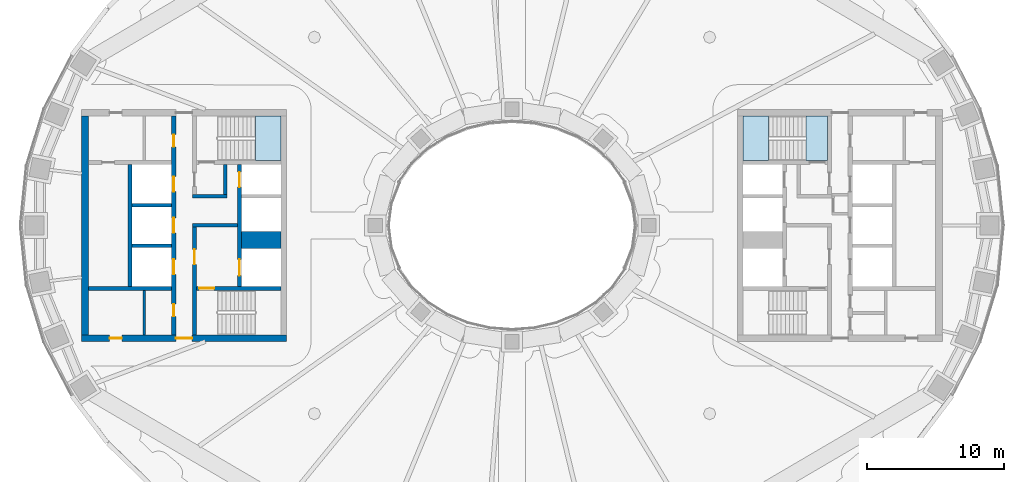
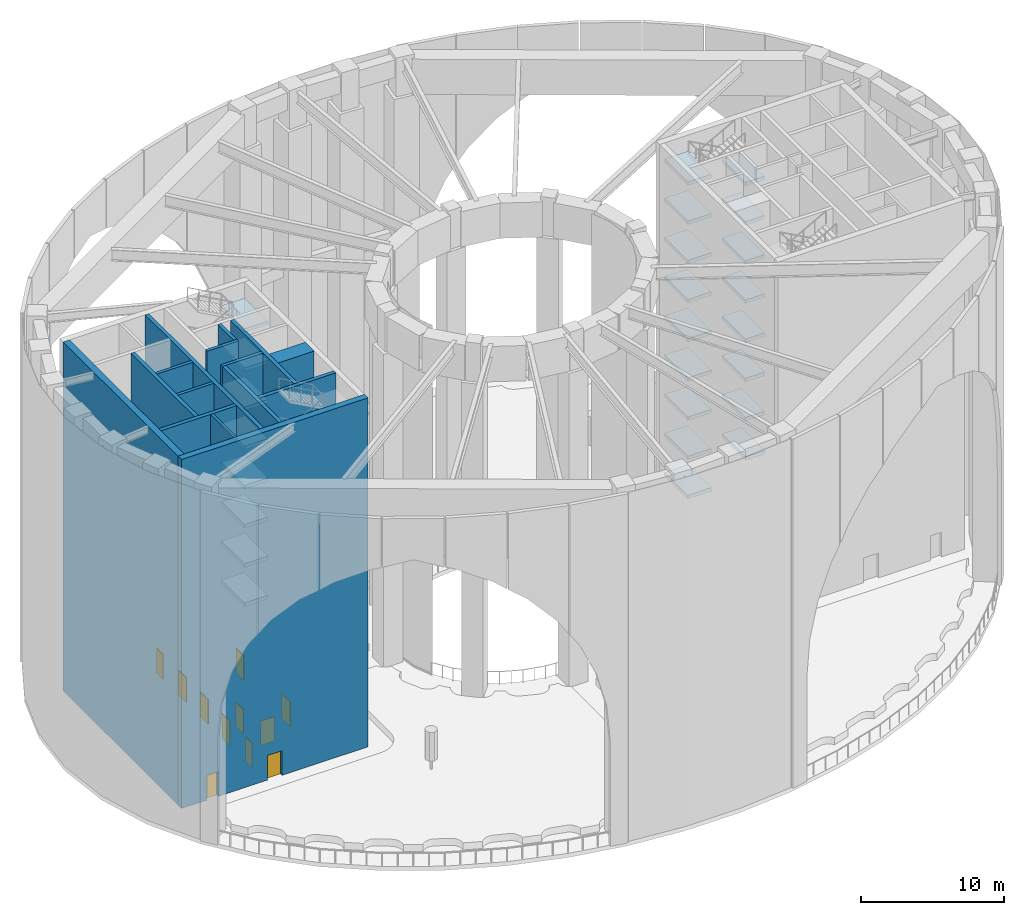
# One storey, part 3 of 26: 25 slabs, 15 walls, 11 doors, 11 openings, 2 elements without a shape of their own.
"""IFC4 building model written with IfcOpenShell, lengths in metres."""

from ifc_helpers import new_model, si_unit, direction, frame, frame_2d, origin, place, context, subcontext, project, spatial, polyline, rectangle, outline, extrude, material, layer, layer_set, type_object, element, fill, aggregate, save


model = new_model("IFC4")

# Units and contexts
model_context = context("Model", 3, precision=1e-05, world=origin(), true_north=direction((0.0, 1.0)))
body_context = subcontext(model_context, "Body", "Model", "MODEL_VIEW")
ifc_project = project(units=[si_unit("LENGTHUNIT", "METRE"), si_unit("AREAUNIT", "SQUARE_METRE"), si_unit("VOLUMEUNIT", "CUBIC_METRE"), si_unit("PLANEANGLEUNIT", "RADIAN"), si_unit("MASSUNIT", "GRAM", prefix="KILO")], contexts=[model_context])

# Site, building, storey
site_placement = place(None, origin())
site = spatial("IfcSite", under=ifc_project, at=site_placement, CompositionType="ELEMENT")
building_placement = place(site_placement, origin())
building = spatial("IfcBuilding", under=site, at=building_placement, Name="Noorbagh Ring Tower", CompositionType="ELEMENT")
storey_placement = place(building_placement, frame((0.0, 0.0, 203.5)))
storey = spatial("IfcBuildingStorey", under=building, at=storey_placement, Name="L47", CompositionType="ELEMENT", Elevation=203.5)

# Stair, slabs
ifc_material_1 = material(Name="Concrete C40/50", Category="concrete")
stair_type = type_object("IfcStairType", Name="CORE-STAIR", PredefinedType="HALF_TURN_STAIR", material=ifc_material_1)
stair_1_placement = place(storey_placement, origin())
stair_1 = element("IfcStair", 1, at=stair_1_placement, inside=storey, type_object=stair_type, Name="L47 Exit stair ST1", PredefinedType="HALF_TURN_STAIR")
ifc_material_2 = material(Name="Concrete C40/50", Category="concrete")
ifc_layer_1 = layer(ifc_material_2, 0.300048828125)
ifc_layer_set_1 = layer_set([ifc_layer_1], Name="Concrete C40/50")
slab_type = type_object("IfcSlabType", Name="CORE-STAIR-LANDING", PredefinedType="LANDING", material=ifc_layer_set_1)
slab_1_placement = place(storey_placement, frame((0.0, 0.0, 4.699951171875)))
slab_1 = element("IfcSlab", 2, at=slab_1_placement, type_object=slab_type, Name="ST1 landing 3", PredefinedType="LANDING", context=body_context, shape_type="SweptSolid", body=[
    extrude(outline(polyline([(-18.784912109375, 4.75), (-16.89990234375, 4.75), (-16.89990234375, 8.0), (-18.784912109375, 8.0), (-18.784912109375, 4.75)])), origin(), (0.0, 0.0, 1.0), 0.300048828125),
])
slab_2_placement = place(storey_placement, frame((0.0, 0.0, 8.033447265625)))
slab_2 = element("IfcSlab", 3, at=slab_2_placement, type_object=slab_type, Name="ST1 landing 5", PredefinedType="LANDING", context=body_context, shape_type="SweptSolid", body=[
    extrude(outline(polyline([(-18.784912109375, 4.75), (-16.89990234375, 4.75), (-16.89990234375, 8.0), (-18.784912109375, 8.0), (-18.784912109375, 4.75)])), origin(), (0.0, 0.0, 1.0), 0.2998046875),
])
slab_3_placement = place(storey_placement, frame((0.0, 0.0, 11.36669921875)))
slab_3 = element("IfcSlab", 4, at=slab_3_placement, type_object=slab_type, Name="ST1 landing 6", PredefinedType="LANDING", context=body_context, shape_type="SweptSolid", body=[
    extrude(outline(polyline([(-18.784912109375, 4.75), (-16.89990234375, 4.75), (-16.89990234375, 8.0), (-18.784912109375, 8.0), (-18.784912109375, 4.75)])), origin(), (0.0, 0.0, 1.0), 0.300048828125),
])
slab_4_placement = place(storey_placement, frame((0.0, 0.0, 14.699951171875)))
slab_4 = element("IfcSlab", 5, at=slab_4_placement, type_object=slab_type, Name="ST1 landing 8", PredefinedType="LANDING", context=body_context, shape_type="SweptSolid", body=[
    extrude(outline(polyline([(-18.784912109375, 4.75), (-16.89990234375, 4.75), (-16.89990234375, 8.0), (-18.784912109375, 8.0), (-18.784912109375, 4.75)])), origin(), (0.0, 0.0, 1.0), 0.300048828125),
])
slab_5_placement = place(storey_placement, frame((0.0, 0.0, 18.033447265625)))
slab_5 = element("IfcSlab", 6, at=slab_5_placement, type_object=slab_type, Name="ST1 landing 10", PredefinedType="LANDING", context=body_context, shape_type="SweptSolid", body=[
    extrude(outline(polyline([(-18.784912109375, 4.75), (-16.89990234375, 4.75), (-16.89990234375, 8.0), (-18.784912109375, 8.0), (-18.784912109375, 4.75)])), origin(), (0.0, 0.0, 1.0), 0.2998046875),
])
slab_6_placement = place(storey_placement, frame((0.0, 0.0, 21.36669921875)))
slab_6 = element("IfcSlab", 7, at=slab_6_placement, type_object=slab_type, Name="ST1 landing 12", PredefinedType="LANDING", context=body_context, shape_type="SweptSolid", body=[
    extrude(outline(polyline([(-18.784912109375, 4.75), (-16.89990234375, 4.75), (-16.89990234375, 8.0), (-18.784912109375, 8.0), (-18.784912109375, 4.75)])), origin(), (0.0, 0.0, 1.0), 0.300048828125),
])
slab_7_placement = place(storey_placement, frame((0.0, 0.0, 24.699951171875)))
slab_7 = element("IfcSlab", 8, at=slab_7_placement, type_object=slab_type, Name="ST1 landing 14", PredefinedType="LANDING", context=body_context, shape_type="SweptSolid", body=[
    extrude(outline(polyline([(-18.784912109375, 4.75), (-16.89990234375, 4.75), (-16.89990234375, 8.0), (-18.784912109375, 8.0), (-18.784912109375, 4.75)])), origin(), (0.0, 0.0, 1.0), 0.300048828125),
])
slab_8_placement = place(storey_placement, frame((0.0, 0.0, 28.033447265625)))
slab_8 = element("IfcSlab", 9, at=slab_8_placement, type_object=slab_type, Name="ST1 landing 16", PredefinedType="LANDING", context=body_context, shape_type="SweptSolid", body=[
    extrude(outline(polyline([(-18.784912109375, 4.75), (-16.89990234375, 4.75), (-16.89990234375, 8.0), (-18.784912109375, 8.0), (-18.784912109375, 4.75)])), origin(), (0.0, 0.0, 1.0), 0.2998046875),
])
aggregate(stair_1, [slab_1, slab_2, slab_3, slab_4, slab_5, slab_6, slab_7, slab_8])

stair_2_placement = place(storey_placement, origin())
stair_2 = element("IfcStair", 10, at=stair_2_placement, inside=storey, type_object=stair_type, Name="L47 Exit stair ST3", PredefinedType="HALF_TURN_STAIR")
slab_9_placement = place(storey_placement, frame((0.0, 0.0, 1.36669921875)))
slab_9 = element("IfcSlab", 11, at=slab_9_placement, type_object=slab_type, Name="ST3 landing 1", PredefinedType="LANDING", context=body_context, shape_type="SweptSolid", body=[
    extrude(outline(polyline([(18.784912109375, 8.0), (16.89990234375, 8.0), (16.89990234375, 4.75), (18.784912109375, 4.75), (18.784912109375, 8.0)])), origin(), (0.0, 0.0, 1.0), 0.300048828125),
])
slab_10_placement = place(storey_placement, frame((0.0, 0.0, 3.033447265625)))
slab_10 = element("IfcSlab", 12, at=slab_10_placement, type_object=slab_type, Name="ST3 landing 2", PredefinedType="LANDING", context=body_context, shape_type="SweptSolid", body=[
    extrude(outline(polyline([(23.080078125, 8.0), (21.530029296875, 8.0), (21.530029296875, 4.75), (23.080078125, 4.75), (23.080078125, 8.0)])), origin(), (0.0, 0.0, 1.0), 0.2998046875),
])
slab_11_placement = place(storey_placement, frame((0.0, 0.0, 4.699951171875)))
slab_11 = element("IfcSlab", 13, at=slab_11_placement, type_object=slab_type, Name="ST3 landing 3", PredefinedType="LANDING", context=body_context, shape_type="SweptSolid", body=[
    extrude(outline(polyline([(18.784912109375, 8.0), (16.89990234375, 8.0), (16.89990234375, 4.75), (18.784912109375, 4.75), (18.784912109375, 8.0)])), origin(), (0.0, 0.0, 1.0), 0.300048828125),
])
slab_12_placement = place(storey_placement, frame((0.0, 0.0, 6.36669921875)))
slab_12 = element("IfcSlab", 14, at=slab_12_placement, type_object=slab_type, Name="ST3 landing 4", PredefinedType="LANDING", context=body_context, shape_type="SweptSolid", body=[
    extrude(outline(polyline([(23.080078125, 8.0), (21.530029296875, 8.0), (21.530029296875, 4.75), (23.080078125, 4.75), (23.080078125, 8.0)])), origin(), (0.0, 0.0, 1.0), 0.300048828125),
])
slab_13_placement = place(storey_placement, frame((0.0, 0.0, 8.033447265625)))
slab_13 = element("IfcSlab", 15, at=slab_13_placement, type_object=slab_type, Name="ST3 landing 5", PredefinedType="LANDING", context=body_context, shape_type="SweptSolid", body=[
    extrude(outline(polyline([(18.784912109375, 8.0), (16.89990234375, 8.0), (16.89990234375, 4.75), (18.784912109375, 4.75), (18.784912109375, 8.0)])), origin(), (0.0, 0.0, 1.0), 0.2998046875),
])
slab_14_placement = place(storey_placement, frame((0.0, 0.0, 11.36669921875)))
slab_14 = element("IfcSlab", 16, at=slab_14_placement, type_object=slab_type, Name="ST3 landing 6", PredefinedType="LANDING", context=body_context, shape_type="SweptSolid", body=[
    extrude(outline(polyline([(18.784912109375, 8.0), (16.89990234375, 8.0), (16.89990234375, 4.75), (18.784912109375, 4.75), (18.784912109375, 8.0)])), origin(), (0.0, 0.0, 1.0), 0.300048828125),
])
slab_15_placement = place(storey_placement, frame((0.0, 0.0, 13.033447265625)))
slab_15 = element("IfcSlab", 17, at=slab_15_placement, type_object=slab_type, Name="ST3 landing 7", PredefinedType="LANDING", context=body_context, shape_type="SweptSolid", body=[
    extrude(outline(polyline([(23.080078125, 8.0), (21.530029296875, 8.0), (21.530029296875, 4.75), (23.080078125, 4.75), (23.080078125, 8.0)])), origin(), (0.0, 0.0, 1.0), 0.2998046875),
])
slab_16_placement = place(storey_placement, frame((0.0, 0.0, 14.699951171875)))
slab_16 = element("IfcSlab", 18, at=slab_16_placement, type_object=slab_type, Name="ST3 landing 8", PredefinedType="LANDING", context=body_context, shape_type="SweptSolid", body=[
    extrude(outline(polyline([(18.784912109375, 8.0), (16.89990234375, 8.0), (16.89990234375, 4.75), (18.784912109375, 4.75), (18.784912109375, 8.0)])), origin(), (0.0, 0.0, 1.0), 0.300048828125),
])
slab_17_placement = place(storey_placement, frame((0.0, 0.0, 16.36669921875)))
slab_17 = element("IfcSlab", 19, at=slab_17_placement, type_object=slab_type, Name="ST3 landing 9", PredefinedType="LANDING", context=body_context, shape_type="SweptSolid", body=[
    extrude(outline(polyline([(23.080078125, 8.0), (21.530029296875, 8.0), (21.530029296875, 4.75), (23.080078125, 4.75), (23.080078125, 8.0)])), origin(), (0.0, 0.0, 1.0), 0.300048828125),
])
slab_18_placement = place(storey_placement, frame((0.0, 0.0, 18.033447265625)))
slab_18 = element("IfcSlab", 20, at=slab_18_placement, type_object=slab_type, Name="ST3 landing 10", PredefinedType="LANDING", context=body_context, shape_type="SweptSolid", body=[
    extrude(outline(polyline([(18.784912109375, 8.0), (16.89990234375, 8.0), (16.89990234375, 4.75), (18.784912109375, 4.75), (18.784912109375, 8.0)])), origin(), (0.0, 0.0, 1.0), 0.2998046875),
])
slab_19_placement = place(storey_placement, frame((0.0, 0.0, 9.699951171875)))
slab_19 = element("IfcSlab", 21, at=slab_19_placement, type_object=slab_type, Name="ST3 landing 11", PredefinedType="LANDING", context=body_context, shape_type="SweptSolid", body=[
    extrude(outline(polyline([(23.080078125, 8.0), (21.530029296875, 8.0), (21.530029296875, 4.75), (23.080078125, 4.75), (23.080078125, 8.0)])), origin(), (0.0, 0.0, 1.0), 0.300048828125),
])
slab_20_placement = place(storey_placement, frame((0.0, 0.0, 21.36669921875)))
slab_20 = element("IfcSlab", 22, at=slab_20_placement, type_object=slab_type, Name="ST3 landing 12", PredefinedType="LANDING", context=body_context, shape_type="SweptSolid", body=[
    extrude(outline(polyline([(18.784912109375, 8.0), (16.89990234375, 8.0), (16.89990234375, 4.75), (18.784912109375, 4.75), (18.784912109375, 8.0)])), origin(), (0.0, 0.0, 1.0), 0.300048828125),
])
slab_21_placement = place(storey_placement, frame((0.0, 0.0, 23.033447265625)))
slab_21 = element("IfcSlab", 23, at=slab_21_placement, type_object=slab_type, Name="ST3 landing 13", PredefinedType="LANDING", context=body_context, shape_type="SweptSolid", body=[
    extrude(outline(polyline([(23.080078125, 8.0), (21.530029296875, 8.0), (21.530029296875, 4.75), (23.080078125, 4.75), (23.080078125, 8.0)])), origin(), (0.0, 0.0, 1.0), 0.2998046875),
])
slab_22_placement = place(storey_placement, frame((0.0, 0.0, 24.699951171875)))
slab_22 = element("IfcSlab", 24, at=slab_22_placement, type_object=slab_type, Name="ST3 landing 14", PredefinedType="LANDING", context=body_context, shape_type="SweptSolid", body=[
    extrude(outline(polyline([(18.784912109375, 8.0), (16.89990234375, 8.0), (16.89990234375, 4.75), (18.784912109375, 4.75), (18.784912109375, 8.0)])), origin(), (0.0, 0.0, 1.0), 0.300048828125),
])
slab_23_placement = place(storey_placement, frame((0.0, 0.0, 26.36669921875)))
slab_23 = element("IfcSlab", 25, at=slab_23_placement, type_object=slab_type, Name="ST3 landing 15", PredefinedType="LANDING", context=body_context, shape_type="SweptSolid", body=[
    extrude(outline(polyline([(23.080078125, 8.0), (21.530029296875, 8.0), (21.530029296875, 4.75), (23.080078125, 4.75), (23.080078125, 8.0)])), origin(), (0.0, 0.0, 1.0), 0.300048828125),
])
slab_24_placement = place(storey_placement, frame((0.0, 0.0, 28.033447265625)))
slab_24 = element("IfcSlab", 26, at=slab_24_placement, type_object=slab_type, Name="ST3 landing 16", PredefinedType="LANDING", context=body_context, shape_type="SweptSolid", body=[
    extrude(outline(polyline([(18.784912109375, 8.0), (16.89990234375, 8.0), (16.89990234375, 4.75), (18.784912109375, 4.75), (18.784912109375, 8.0)])), origin(), (0.0, 0.0, 1.0), 0.2998046875),
])
slab_25_placement = place(storey_placement, frame((0.0, 0.0, 19.699951171875)))
slab_25 = element("IfcSlab", 27, at=slab_25_placement, type_object=slab_type, Name="ST3 landing 17", PredefinedType="LANDING", context=body_context, shape_type="SweptSolid", body=[
    extrude(outline(polyline([(23.080078125, 8.0), (21.530029296875, 8.0), (21.530029296875, 4.75), (23.080078125, 4.75), (23.080078125, 8.0)])), origin(), (0.0, 0.0, 1.0), 0.300048828125),
])
aggregate(stair_2, [slab_9, slab_10, slab_11, slab_12, slab_13, slab_14, slab_15, slab_16, slab_17, slab_18, slab_19, slab_20, slab_21, slab_22, slab_23, slab_24, slab_25])

# Walls
ifc_material_3 = material(Name="Gypsum board on steel studs", Category="steel")
ifc_layer_2 = layer(ifc_material_3, 0.199951171875)
ifc_layer_set_2 = layer_set([ifc_layer_2], Name="Gypsum board on steel studs")
wall_type_1 = type_object("IfcWallType", Name="CORE-PARTITION-200", PredefinedType="PARTITIONING", material=ifc_layer_set_2)
wall_1_placement = place(storey_placement, frame((-26.89990234375, -8.0, 0.0), z_axis=(0.0, 0.0, 1.0), x_axis=(0.0, 1.0, 0.0)))
element("IfcWall", 28, at=wall_1_placement, inside=storey, type_object=wall_type_1, Name="Core partition W", PredefinedType="PARTITIONING", context=body_context, shape_type="SweptSolid", body=[
    extrude(rectangle(XDim=3.25, YDim=0.199951171875, at=frame_2d((1.625, 0.0))), origin(), (0.0, 0.0, 1.0), 29.699951171875),
])
ifc_material_4 = material(Name="Concrete C60/75", Category="concrete")
ifc_layer_3 = layer(ifc_material_4, 1.25)
ifc_layer_set_3 = layer_set([ifc_layer_3], Name="Concrete C60/75")
wall_type_2 = type_object("IfcWallType", Name="CORE-WALL-1250-C60-75-EI120", PredefinedType="SHEAR", material=ifc_layer_set_3)
wall_2_placement = place(storey_placement, frame((-16.89990234375, -1.074951171875, 0.0), z_axis=(0.0, 0.0, 1.0), x_axis=(-1.0, 0.0, 0.0)))
element("IfcWall", 29, at=wall_2_placement, inside=storey, type_object=wall_type_2, Name="Core wall W", PredefinedType="SHEAR", context=body_context, shape_type="SweptSolid", body=[
    extrude(rectangle(XDim=2.900146484375, YDim=1.25, at=frame_2d((1.4501953125, 0.0))), origin(), (0.0, 0.0, 1.0), 29.699951171875),
])
ifc_material_5 = material(Name="Concrete C60/75", Category="concrete")
ifc_layer_4 = layer(ifc_material_5, 0.25)
ifc_layer_set_4 = layer_set([ifc_layer_4], Name="Concrete C60/75")
wall_type_3 = type_object("IfcWallType", Name="CORE-WALL-250-C60-75-EI120", PredefinedType="SHEAR", material=ifc_layer_set_4)
for number, where, z_axis, x_axis, name in (
    (30, (-24.89990234375, -1.47509765625, 0.0), (0.0, 0.0, 1.0), (-1.0, 0.0, 0.0), "Core wall W"),
    (31, (-24.89990234375, 1.47509765625, 0.0), (0.0, 0.0, 1.0), (-1.0, 0.0, 0.0), "Core wall W"),
):
    element("IfcWall", number, at=place(storey_placement, frame(where, z_axis=z_axis, x_axis=x_axis)), inside=storey, type_object=wall_type_3, Name=name, PredefinedType="SHEAR", context=body_context, shape_type="SweptSolid", body=[
        extrude(rectangle(XDim=2.900146484375, YDim=0.25, at=frame_2d((1.4501953125, 0.0))), origin(), (0.0, 0.0, 1.0), 29.699951171875),
    ])
ifc_material_6 = material(Name="Concrete C60/75", Category="concrete")
ifc_layer_5 = layer(ifc_material_6, 0.25)
ifc_layer_set_5 = layer_set([ifc_layer_5], Name="Concrete C60/75")
wall_type_4 = type_object("IfcWallType", Name="CORE-WALL-250-C60-75-EI240", PredefinedType="SHEAR", material=ifc_layer_set_5)
wall_3_placement = place(storey_placement, frame((-20.10009765625, 0.0, 0.0), z_axis=(0.0, 0.0, 1.0), x_axis=(-1.0, 0.0, 0.0)))
element("IfcWall", 32, at=wall_3_placement, inside=storey, type_object=wall_type_4, Name="Core wall W", PredefinedType="SHEAR", context=body_context, shape_type="SweptSolid", body=[
    extrude(rectangle(XDim=3.27978515625, YDim=0.25, at=frame_2d((1.639892578125, 0.0))), origin(), (0.0, 0.0, 1.0), 29.699951171875),
])
wall_4_placement = place(storey_placement, frame((-20.85009765625, 2.125, 0.0), z_axis=(0.0, 0.0, 1.0), x_axis=(-1.0, 0.0, 0.0)))
element("IfcWall", 33, at=wall_4_placement, inside=storey, type_object=wall_type_4, Name="Core wall W", PredefinedType="SHEAR", context=body_context, shape_type="SweptSolid", body=[
    extrude(rectangle(XDim=2.52978515625, YDim=0.25, at=frame_2d((1.264892578125, 0.0))), origin(), (0.0, 0.0, 1.0), 29.699951171875),
])
wall_5_placement = place(storey_placement, frame((-20.97509765625, 2.25, 0.0), z_axis=(0.0, 0.0, 1.0), x_axis=(0.0, 1.0, 0.0)))
element("IfcWall", 34, at=wall_5_placement, inside=storey, type_object=wall_type_4, Name="Core wall W", PredefinedType="SHEAR", context=body_context, shape_type="SweptSolid", body=[
    extrude(rectangle(XDim=2.199951171875, YDim=0.25, at=frame_2d((1.10009765625, 0.0))), origin(), (0.0, 0.0, 1.0), 29.699951171875),
])
ifc_material_7 = material(Name="Concrete C60/75", Category="concrete")
ifc_layer_6 = layer(ifc_material_7, 0.300048828125)
ifc_layer_set_6 = layer_set([ifc_layer_6], Name="Concrete C60/75")
wall_type_5 = type_object("IfcWallType", Name="CORE-WALL-300-C60-75-EI120", PredefinedType="SHEAR", material=ifc_layer_set_6)
wall_6_placement = place(storey_placement, frame((-27.949951171875, -4.449951171875, 0.0), z_axis=(0.0, 0.0, 1.0), x_axis=(0.0, 1.0, 0.0)))
element("IfcWall", 35, at=wall_6_placement, inside=storey, type_object=wall_type_5, Name="Core wall W", PredefinedType="SHEAR", context=body_context, shape_type="SweptSolid", body=[
    extrude(rectangle(XDim=8.89990234375, YDim=0.300048828125, at=frame_2d((4.449951171875, 0.0))), origin(), (0.0, 0.0, 1.0), 29.699951171875),
])

# Wall, openings, doors
wall_7_placement = place(storey_placement, frame((-19.949951171875, -4.449951171875, 0.0), z_axis=(0.0, 0.0, 1.0), x_axis=(0.0, 1.0, 0.0)))
wall_7 = element("IfcWall", 36, at=wall_7_placement, inside=storey, type_object=wall_type_5, Name="Core wall W", PredefinedType="SHEAR", context=body_context, shape_type="SweptSolid", body=[
    extrude(rectangle(XDim=8.89990234375, YDim=0.300048828125, at=frame_2d((4.449951171875, 0.0))), origin(), (0.0, 0.0, 1.0), 29.699951171875),
])
opening_1_placement = place(wall_7_placement, frame((0.77490234375, 0.0, 0.0)))
opening_1 = element("IfcOpeningElement", 37, at=opening_1_placement, cuts=wall_7, Name="Opening L47-CW01", PredefinedType="OPENING", context=body_context, shape_type="SweptSolid", body=[
    extrude(rectangle(XDim=1.199951171875, YDim=2.10009765625, at=frame_2d((0.60009765625, 1.050048828125))), frame((0.0, 0.16015625, 0.0), z_axis=(0.0, -1.0, 0.0), x_axis=(1.0, 0.0, 0.0)), (0.0, 0.0, 1.0), 0.320068359375),
])
opening_2_placement = place(wall_7_placement, frame((7.25, 0.0, 0.0)))
opening_2 = element("IfcOpeningElement", 38, at=opening_2_placement, cuts=wall_7, Name="Opening L47-CW02", PredefinedType="OPENING", context=body_context, shape_type="SweptSolid", body=[
    extrude(rectangle(XDim=1.10009765625, YDim=2.10009765625, at=frame_2d((0.550048828125, 1.050048828125))), frame((0.0, 0.16015625, 0.0), z_axis=(0.0, -1.0, 0.0), x_axis=(1.0, 0.0, 0.0)), (0.0, 0.0, 1.0), 0.320068359375),
])
ifc_material_8 = material(Name="Steel door leaf", Category="steel")
door_type_1 = type_object("IfcDoorType", Name="CORE-DOOR-LD", OperationType="DOUBLE_DOOR_SLIDING", PredefinedType="DOOR", material=ifc_material_8)
door_1_placement = place(opening_2_placement, origin())
door_1 = element("IfcDoor", 39, at=door_1_placement, inside=storey, type_object=door_type_1, Name="Landing door HR1 L47-CW02", OperationType="DOUBLE_DOOR_SLIDING", OverallHeight=2.10009765625, OverallWidth=1.10009765625, PredefinedType="DOOR", context=body_context, shape_type="SweptSolid", body=[
    extrude(rectangle(XDim=1.10009765625, YDim=2.10009765625, at=frame_2d((0.550048828125, 1.050048828125))), frame((0.0, 0.02490234375, 0.0), z_axis=(0.0, -1.0, 0.0), x_axis=(1.0, 0.0, 0.0)), (0.0, 0.0, 1.0), 0.050048828125),
])
fill(opening_2, door_1)
ifc_material_9 = material(Name="Steel door leaf", Category="steel")
door_type_2 = type_object("IfcDoorType", Name="CORE-DOOR-LDW", OperationType="DOUBLE_DOOR_SLIDING", PredefinedType="DOOR", material=ifc_material_9)
door_2_placement = place(opening_1_placement, origin())
door_2 = element("IfcDoor", 40, at=door_2_placement, inside=storey, type_object=door_type_2, Name="Landing door FF1 L47-CW01", OperationType="DOUBLE_DOOR_SLIDING", OverallHeight=2.10009765625, OverallWidth=1.199951171875, PredefinedType="DOOR", context=body_context, shape_type="SweptSolid", body=[
    extrude(rectangle(XDim=1.199951171875, YDim=2.10009765625, at=frame_2d((0.60009765625, 1.050048828125))), frame((0.0, 0.02490234375, 0.0), z_axis=(0.0, -1.0, 0.0), x_axis=(1.0, 0.0, 0.0)), (0.0, 0.0, 1.0), 0.050048828125),
])
fill(opening_1, door_2)

wall_8_placement = place(storey_placement, frame((-24.75, -8.0, 0.0), z_axis=(0.0, 0.0, 1.0), x_axis=(0.0, 1.0, 0.0)))
wall_8 = element("IfcWall", 41, at=wall_8_placement, inside=storey, type_object=wall_type_5, Name="Core wall W", PredefinedType="SHEAR", context=body_context, shape_type="SweptSolid", body=[
    extrude(rectangle(XDim=16.0, YDim=0.300048828125, at=frame_2d((8.0, 0.0))), origin(), (0.0, 0.0, 1.0), 29.699951171875),
])
opening_3_placement = place(wall_8_placement, frame((4.425048828125, 0.0, 0.0)))
opening_3 = element("IfcOpeningElement", 42, at=opening_3_placement, cuts=wall_8, Name="Opening L47-CW03", PredefinedType="OPENING", context=body_context, shape_type="SweptSolid", body=[
    extrude(rectangle(XDim=1.10009765625, YDim=2.10009765625, at=frame_2d((0.550048828125, 1.050048828125))), frame((0.0, 0.16015625, 0.0), z_axis=(0.0, -1.0, 0.0), x_axis=(1.0, 0.0, 0.0)), (0.0, 0.0, 1.0), 0.320068359375),
])
opening_4_placement = place(wall_8_placement, frame((7.449951171875, 0.0, 0.0)))
opening_4 = element("IfcOpeningElement", 43, at=opening_4_placement, cuts=wall_8, Name="Opening L47-CW04", PredefinedType="OPENING", context=body_context, shape_type="SweptSolid", body=[
    extrude(rectangle(XDim=1.10009765625, YDim=2.10009765625, at=frame_2d((0.550048828125, 1.050048828125))), frame((0.0, 0.16015625, 0.0), z_axis=(0.0, -1.0, 0.0), x_axis=(1.0, 0.0, 0.0)), (0.0, 0.0, 1.0), 0.320068359375),
])
opening_5_placement = place(wall_8_placement, frame((10.47509765625, 0.0, 0.0)))
opening_5 = element("IfcOpeningElement", 44, at=opening_5_placement, cuts=wall_8, Name="Opening L47-CW05", PredefinedType="OPENING", context=body_context, shape_type="SweptSolid", body=[
    extrude(rectangle(XDim=1.10009765625, YDim=2.10009765625, at=frame_2d((0.550048828125, 1.050048828125))), frame((0.0, 0.16015625, 0.0), z_axis=(0.0, -1.0, 0.0), x_axis=(1.0, 0.0, 0.0)), (0.0, 0.0, 1.0), 0.320068359375),
])
opening_6_placement = place(wall_8_placement, frame((13.75, 0.0, 0.0)))
opening_6 = element("IfcOpeningElement", 45, at=opening_6_placement, cuts=wall_8, Name="Opening L47-CW12", PredefinedType="OPENING", context=body_context, shape_type="SweptSolid", body=[
    extrude(rectangle(XDim=0.89990234375, YDim=2.10009765625, at=frame_2d((0.449951171875, 1.050048828125))), frame((0.0, 0.16015625, 0.0), z_axis=(0.0, -1.0, 0.0), x_axis=(1.0, 0.0, 0.0)), (0.0, 0.0, 1.0), 0.320068359375),
])
opening_7_placement = place(wall_8_placement, frame((1.35009765625, 0.0, 0.0)))
opening_7 = element("IfcOpeningElement", 46, at=opening_7_placement, cuts=wall_8, Name="Opening L47-CW14", PredefinedType="OPENING", context=body_context, shape_type="SweptSolid", body=[
    extrude(rectangle(XDim=0.89990234375, YDim=2.10009765625, at=frame_2d((0.449951171875, 1.050048828125))), frame((0.0, 0.16015625, 0.0), z_axis=(0.0, -1.0, 0.0), x_axis=(1.0, 0.0, 0.0)), (0.0, 0.0, 1.0), 0.320068359375),
])
ifc_material_10 = material(Name="Steel door leaf", Category="steel")
door_type_3 = type_object("IfcDoorType", Name="CORE-DOOR-DROOM", OperationType="SINGLE_SWING_LEFT", PredefinedType="DOOR", material=ifc_material_10)
door_3_placement = place(opening_6_placement, origin())
door_3 = element("IfcDoor", 47, at=door_3_placement, inside=storey, type_object=door_type_3, Name="Core room door L47-CW12", OperationType="SINGLE_SWING_RIGHT", OverallHeight=2.10009765625, OverallWidth=0.89990234375, PredefinedType="DOOR", context=body_context, shape_type="SweptSolid", body=[
    extrude(rectangle(XDim=0.89990234375, YDim=2.10009765625, at=frame_2d((0.449951171875, 1.050048828125))), frame((0.0, 0.02490234375, 0.0), z_axis=(0.0, -1.0, 0.0), x_axis=(1.0, 0.0, 0.0)), (0.0, 0.0, 1.0), 0.050048828125),
])
fill(opening_6, door_3)
door_4_placement = place(opening_7_placement, origin())
door_4 = element("IfcDoor", 48, at=door_4_placement, inside=storey, type_object=door_type_3, Name="Core room door L47-CW14", OperationType="SINGLE_SWING_LEFT", OverallHeight=2.10009765625, OverallWidth=0.89990234375, PredefinedType="DOOR", context=body_context, shape_type="SweptSolid", body=[
    extrude(rectangle(XDim=0.89990234375, YDim=2.10009765625, at=frame_2d((0.449951171875, 1.050048828125))), frame((0.0, 0.02490234375, 0.0), z_axis=(0.0, -1.0, 0.0), x_axis=(1.0, 0.0, 0.0)), (0.0, 0.0, 1.0), 0.050048828125),
])
fill(opening_7, door_4)
door_5_placement = place(opening_3_placement, origin())
door_5 = element("IfcDoor", 49, at=door_5_placement, inside=storey, type_object=door_type_1, Name="Landing door HR2 L47-CW03", OperationType="DOUBLE_DOOR_SLIDING", OverallHeight=2.10009765625, OverallWidth=1.10009765625, PredefinedType="DOOR", context=body_context, shape_type="SweptSolid", body=[
    extrude(rectangle(XDim=1.10009765625, YDim=2.10009765625, at=frame_2d((0.550048828125, 1.050048828125))), frame((0.0, 0.02490234375, 0.0), z_axis=(0.0, -1.0, 0.0), x_axis=(1.0, 0.0, 0.0)), (0.0, 0.0, 1.0), 0.050048828125),
])
fill(opening_3, door_5)
door_6_placement = place(opening_4_placement, origin())
door_6 = element("IfcDoor", 50, at=door_6_placement, inside=storey, type_object=door_type_1, Name="Landing door HR3 L47-CW04", OperationType="DOUBLE_DOOR_SLIDING", OverallHeight=2.10009765625, OverallWidth=1.10009765625, PredefinedType="DOOR", context=body_context, shape_type="SweptSolid", body=[
    extrude(rectangle(XDim=1.10009765625, YDim=2.10009765625, at=frame_2d((0.550048828125, 1.050048828125))), frame((0.0, 0.02490234375, 0.0), z_axis=(0.0, -1.0, 0.0), x_axis=(1.0, 0.0, 0.0)), (0.0, 0.0, 1.0), 0.050048828125),
])
fill(opening_4, door_6)
door_7_placement = place(opening_5_placement, origin())
door_7 = element("IfcDoor", 51, at=door_7_placement, inside=storey, type_object=door_type_1, Name="Landing door HR4 L47-CW05", OperationType="DOUBLE_DOOR_SLIDING", OverallHeight=2.10009765625, OverallWidth=1.10009765625, PredefinedType="DOOR", context=body_context, shape_type="SweptSolid", body=[
    extrude(rectangle(XDim=1.10009765625, YDim=2.10009765625, at=frame_2d((0.550048828125, 1.050048828125))), frame((0.0, 0.02490234375, 0.0), z_axis=(0.0, -1.0, 0.0), x_axis=(1.0, 0.0, 0.0)), (0.0, 0.0, 1.0), 0.050048828125),
])
fill(opening_5, door_7)

# Wall
ifc_material_11 = material(Name="Concrete C60/75", Category="concrete")
ifc_layer_7 = layer(ifc_material_11, 0.300048828125)
ifc_layer_set_7 = layer_set([ifc_layer_7], Name="Concrete C60/75")
wall_type_6 = type_object("IfcWallType", Name="CORE-WALL-300-C60-75-EI240", PredefinedType="SHEAR", material=ifc_layer_set_7)
wall_9_placement = place(storey_placement, frame((-24.89990234375, -4.60009765625, 0.0), z_axis=(0.0, 0.0, 1.0), x_axis=(-1.0, 0.0, 0.0)))
element("IfcWall", 52, at=wall_9_placement, inside=storey, type_object=wall_type_6, Name="Core wall W", PredefinedType="SHEAR", context=body_context, shape_type="SweptSolid", body=[
    extrude(rectangle(XDim=6.10009765625, YDim=0.300048828125, at=frame_2d((3.050048828125, 0.0))), origin(), (0.0, 0.0, 1.0), 29.699951171875),
])

# Wall, opening, door
wall_10_placement = place(storey_placement, frame((-23.22998046875, -8.0, 0.0), z_axis=(0.0, 0.0, 1.0), x_axis=(0.0, 1.0, 0.0)))
wall_10 = element("IfcWall", 53, at=wall_10_placement, inside=storey, type_object=wall_type_6, Name="Core wall W", PredefinedType="SHEAR", context=body_context, shape_type="SweptSolid", body=[
    extrude(rectangle(XDim=7.875, YDim=0.300048828125, at=frame_2d((3.9375, 0.0))), origin(), (0.0, 0.0, 1.0), 29.699951171875),
])
opening_8_placement = place(wall_10_placement, frame((5.14990234375, 0.0, 0.0)))
opening_8 = element("IfcOpeningElement", 54, at=opening_8_placement, cuts=wall_10, Name="Opening L47-CW08", PredefinedType="OPENING", context=body_context, shape_type="SweptSolid", body=[
    extrude(rectangle(XDim=1.10009765625, YDim=2.10009765625, at=frame_2d((0.550048828125, 1.050048828125))), frame((0.0, 0.16015625, 0.0), z_axis=(0.0, -1.0, 0.0), x_axis=(1.0, 0.0, 0.0)), (0.0, 0.0, 1.0), 0.320068359375),
])
ifc_material_12 = material(Name="Steel door leaf", Category="steel")
door_type_4 = type_object("IfcDoorType", Name="CORE-DOOR-DFF", OperationType="SINGLE_SWING_LEFT", PredefinedType="DOOR", material=ifc_material_12)
door_8_placement = place(opening_8_placement, origin())
door_8 = element("IfcDoor", 55, at=door_8_placement, inside=storey, type_object=door_type_4, Name="Firefighting lobby door L47-CW08", OperationType="SINGLE_SWING_LEFT", OverallHeight=2.10009765625, OverallWidth=1.10009765625, PredefinedType="DOOR", context=body_context, shape_type="SweptSolid", body=[
    extrude(rectangle(XDim=1.10009765625, YDim=2.10009765625, at=frame_2d((0.550048828125, 1.050048828125))), frame((0.0, 0.02490234375, 0.0), z_axis=(0.0, -1.0, 0.0), x_axis=(1.0, 0.0, 0.0)), (0.0, 0.0, 1.0), 0.050048828125),
])
fill(opening_8, door_8)

wall_11_placement = place(storey_placement, frame((-16.89990234375, -4.60009765625, 0.0), z_axis=(0.0, 0.0, 1.0), x_axis=(-1.0, 0.0, 0.0)))
wall_11 = element("IfcWall", 56, at=wall_11_placement, inside=storey, type_object=wall_type_6, Name="Core wall W", PredefinedType="SHEAR", context=body_context, shape_type="SweptSolid", body=[
    extrude(rectangle(XDim=6.18017578125, YDim=0.300048828125, at=frame_2d((3.090087890625, 0.0))), origin(), (0.0, 0.0, 1.0), 29.699951171875),
])
opening_9_placement = place(wall_11_placement, frame((4.89990234375, 0.0, 0.0)))
opening_9 = element("IfcOpeningElement", 57, at=opening_9_placement, cuts=wall_11, Name="Opening L47-CW07", PredefinedType="OPENING", context=body_context, shape_type="SweptSolid", body=[
    extrude(rectangle(XDim=1.10009765625, YDim=2.10009765625, at=frame_2d((0.550048828125, 1.050048828125))), frame((0.0, 0.16015625, 0.0), z_axis=(0.0, -1.0, 0.0), x_axis=(1.0, 0.0, 0.0)), (0.0, 0.0, 1.0), 0.320068359375),
])
ifc_material_13 = material(Name="Steel door leaf", Category="steel")
door_type_5 = type_object("IfcDoorType", Name="CORE-DOOR-DSTAIR", OperationType="SINGLE_SWING_LEFT", PredefinedType="DOOR", material=ifc_material_13)
door_9_placement = place(opening_9_placement, origin())
door_9 = element("IfcDoor", 58, at=door_9_placement, inside=storey, type_object=door_type_5, Name="Stair door ST2 L47-CW07", OperationType="SINGLE_SWING_LEFT", OverallHeight=2.10009765625, OverallWidth=1.10009765625, PredefinedType="DOOR", context=body_context, shape_type="SweptSolid", body=[
    extrude(rectangle(XDim=1.10009765625, YDim=2.10009765625, at=frame_2d((0.550048828125, 1.050048828125))), frame((0.0, 0.02490234375, 0.0), z_axis=(0.0, -1.0, 0.0), x_axis=(1.0, 0.0, 0.0)), (0.0, 0.0, 1.0), 0.050048828125),
])
fill(opening_9, door_9)

# Wall, openings, doors
ifc_material_14 = material(Name="Concrete C60/75", Category="concrete")
ifc_layer_8 = layer(ifc_material_14, 0.5)
ifc_layer_set_8 = layer_set([ifc_layer_8], Name="Concrete C60/75")
wall_type_7 = type_object("IfcWallType", Name="CORE-WALL-500-C60-75-EI240", PredefinedType="SHEAR", material=ifc_layer_set_8)
wall_12_placement = place(storey_placement, frame((-16.5, -8.25, 0.0), z_axis=(0.0, 0.0, 1.0), x_axis=(-1.0, 0.0, 0.0)))
wall_12 = element("IfcWall", 59, at=wall_12_placement, inside=storey, type_object=wall_type_7, Name="Core wall W", PredefinedType="SHEAR", context=body_context, shape_type="SweptSolid", body=[
    extrude(rectangle(XDim=15.0, YDim=0.5, at=frame_2d((7.5, 0.0))), origin(), (0.0, 0.0, 1.0), 29.699951171875),
])
opening_10_placement = place(wall_12_placement, frame((6.89990234375, 0.0, 0.0)))
opening_10 = element("IfcOpeningElement", 60, at=opening_10_placement, cuts=wall_12, Name="Opening L47-CW11", PredefinedType="OPENING", context=body_context, shape_type="SweptSolid", body=[
    extrude(rectangle(XDim=1.199951171875, YDim=2.10009765625, at=frame_2d((0.60009765625, 1.050048828125))), frame((0.0, 0.260009765625, 0.0), z_axis=(0.0, -1.0, 0.0), x_axis=(1.0, 0.0, 0.0)), (0.0, 0.0, 1.0), 0.52001953125),
])
opening_11_placement = place(wall_12_placement, frame((12.050048828125, 0.0, 0.0)))
opening_11 = element("IfcOpeningElement", 61, at=opening_11_placement, cuts=wall_12, Name="Opening L47-CW15", PredefinedType="OPENING", context=body_context, shape_type="SweptSolid", body=[
    extrude(rectangle(XDim=0.89990234375, YDim=2.10009765625, at=frame_2d((0.449951171875, 1.050048828125))), frame((0.0, 0.260009765625, 0.0), z_axis=(0.0, -1.0, 0.0), x_axis=(1.0, 0.0, 0.0)), (0.0, 0.0, 1.0), 0.52001953125),
])
door_10_placement = place(opening_11_placement, origin())
door_10 = element("IfcDoor", 62, at=door_10_placement, inside=storey, type_object=door_type_3, Name="Core room door L47-CW15", OperationType="SINGLE_SWING_LEFT", OverallHeight=2.10009765625, OverallWidth=0.89990234375, PredefinedType="DOOR", context=body_context, shape_type="SweptSolid", body=[
    extrude(rectangle(XDim=0.89990234375, YDim=2.10009765625, at=frame_2d((0.449951171875, 1.050048828125))), frame((0.0, 0.02490234375, 0.0), z_axis=(0.0, -1.0, 0.0), x_axis=(1.0, 0.0, 0.0)), (0.0, 0.0, 1.0), 0.050048828125),
])
fill(opening_11, door_10)
ifc_material_15 = material(Name="Steel door leaf", Category="steel")
door_type_6 = type_object("IfcDoorType", Name="CORE-DOOR-PORT", OperationType="DOUBLE_DOOR_DOUBLE_SWING", PredefinedType="DOOR", material=ifc_material_15)
door_11_placement = place(opening_10_placement, origin())
door_11 = element("IfcDoor", 63, at=door_11_placement, inside=storey, type_object=door_type_6, Name="Core entrance door L47-CW11", OperationType="DOUBLE_DOOR_DOUBLE_SWING", OverallHeight=2.10009765625, OverallWidth=1.199951171875, PredefinedType="DOOR", context=body_context, shape_type="SweptSolid", body=[
    extrude(rectangle(XDim=1.199951171875, YDim=2.10009765625, at=frame_2d((0.60009765625, 1.050048828125))), frame((0.0, 0.02490234375, 0.0), z_axis=(0.0, -1.0, 0.0), x_axis=(1.0, 0.0, 0.0)), (0.0, 0.0, 1.0), 0.050048828125),
])
fill(opening_10, door_11)

# Wall
wall_13_placement = place(storey_placement, frame((-31.25, -8.0, 0.0), z_axis=(0.0, 0.0, 1.0), x_axis=(0.0, 1.0, 0.0)))
element("IfcWall", 64, at=wall_13_placement, inside=storey, type_object=wall_type_7, Name="Core wall W", PredefinedType="SHEAR", context=body_context, shape_type="SweptSolid", body=[
    extrude(rectangle(XDim=16.0, YDim=0.5, at=frame_2d((8.0, 0.0))), origin(), (0.0, 0.0, 1.0), 29.699951171875),
])

save(model, "model.ifc")
